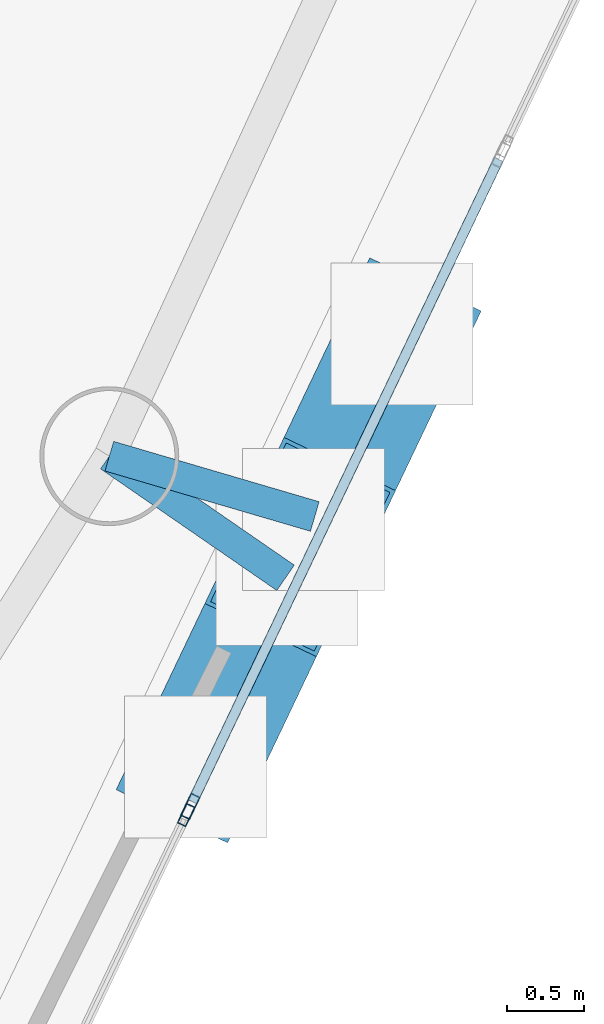
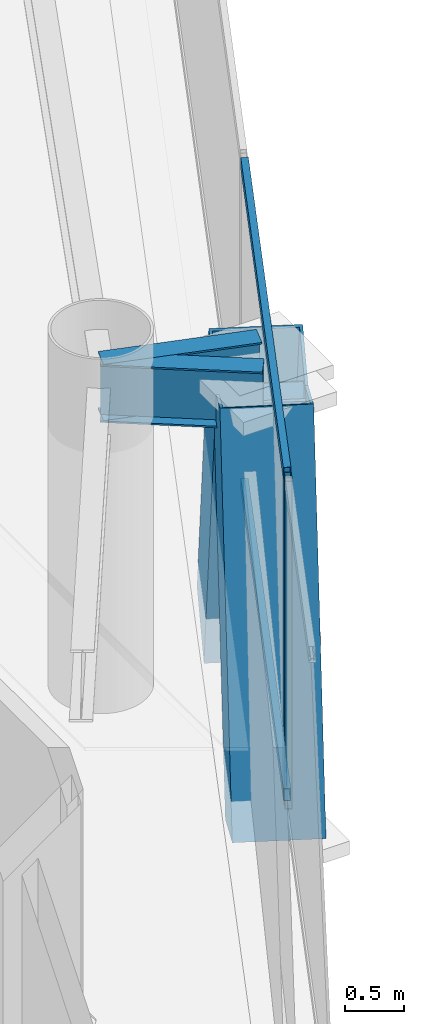
# One storey, part 6 of 20: 6 members, 2 beams, 2 elements without a shape of their own.
"""IFC4 building model written with IfcOpenShell, lengths in metres."""

from ifc_helpers import new_model, si_unit, direction, frame, origin, origin_2d, place, context, subcontext, project, spatial, hollow_rectangle, i_section, extrude, material, layer, layer_set, material_profile, profile_set, type_object, element, aggregate, save


model = new_model("IFC4")

# Units and contexts
model_context = context("Model", 3, precision=1e-05, world=origin(), true_north=direction((0.0, 1.0)))
body_context = subcontext(model_context, "Body", "Model", "MODEL_VIEW")
ifc_project = project(units=[si_unit("LENGTHUNIT", "METRE"), si_unit("AREAUNIT", "SQUARE_METRE"), si_unit("VOLUMEUNIT", "CUBIC_METRE"), si_unit("PLANEANGLEUNIT", "RADIAN"), si_unit("MASSUNIT", "GRAM", prefix="KILO")], contexts=[model_context])

# Site, building, storey
site_placement = place(None, origin())
site = spatial("IfcSite", under=ifc_project, at=site_placement, CompositionType="ELEMENT")
building_placement = place(site_placement, origin())
building = spatial("IfcBuilding", under=site, at=building_placement, Name="Qianvela Tower", CompositionType="ELEMENT")
storey_placement = place(building_placement, frame((0.0, 0.0, 317.60009765625)))
storey = spatial("IfcBuildingStorey", under=building, at=storey_placement, Name="L82", CompositionType="ELEMENT", Elevation=317.60009765625)

# Beams
ifc_material_1 = material(Name="Steel Q355B", Category="steel")
ifc_material_profile_1 = material_profile(ifc_material_1, i_section(OverallWidth=0.199951171875, OverallDepth=0.60009765625, WebThickness=0.010986328125, FlangeThickness=0.01708984375, at=origin_2d()), Name="HN600x200x11x17")
ifc_profile_set_1 = profile_set([ifc_material_profile_1], Name="Steel Q355B")
beam_type = type_object("IfcBeamType", Name="BM-HN600-GIRD", PredefinedType="BEAM", material=ifc_profile_set_1)
for number, where, z_axis, x_axis, name in (
    (1, (45.833984375, 22.344970703125, 3.097900390625), (0.823034037929, -0.567992053122, 0.0), (0.567992053122, 0.823034037929, 0.0), "L82 Mega-Brace Column Tie Bracket F3-1"),
    (2, (45.833984375, 22.344970703125, 3.097900390625), (0.95951952157, -0.281642127043, 0.0), (0.281642127043, 0.95951952157, 0.0), "L82 Mega-Brace Column Tie Bracket F3-2"),
):
    element("IfcBeam", number, at=place(storey_placement, frame(where, z_axis=z_axis, x_axis=x_axis)), inside=storey, type_object=beam_type, Name=name, PredefinedType="BEAM", context=body_context, shape_type="SweptSolid", body=[
        extrude(i_section(OverallWidth=0.199951171875, OverallDepth=0.60009765625, WebThickness=0.010986328125, FlangeThickness=0.01708984375, at=origin_2d()), origin(), (0.0, 0.0, 1.0), 1.386962890625),
    ])

# Curtain wall, members
ifc_material_2 = material(Name="Anodised Architectural Aluminium and Insulated Spandrel Panel", Category="aluminium")
ifc_layer_1 = layer(ifc_material_2, 0.179931640625)
ifc_layer_set_1 = layer_set([ifc_layer_1], Name="Anodised Architectural Aluminium and Insulated Spandrel Panel")
curtain_wall_type_1 = type_object("IfcCurtainWallType", Name="CW-BRACEBAY", PredefinedType="USERDEFINED", material=ifc_layer_set_1)
curtain_wall_1_placement = place(storey_placement, origin())
curtain_wall_1 = element("IfcCurtainWall", 3, at=curtain_wall_1_placement, inside=storey, type_object=curtain_wall_type_1, Name="L82 CW-BRACEBAY Curtain Wall 06B", ObjectType="CURTAIN_WALL_SYSTEM", PredefinedType="USERDEFINED")
ifc_material_3 = material(Name="Anodised Architectural Aluminium 6063-T6", Category="aluminium")
ifc_material_profile_2 = material_profile(ifc_material_3, hollow_rectangle(XDim=0.06494140625, YDim=0.159912109375, WallThickness=0.0048828125, at=origin_2d()), Name="ALU-MULL-65x160")
ifc_profile_set_2 = profile_set([ifc_material_profile_2], Name="Anodised Architectural Aluminium 6063-T6")
member_type_1 = type_object("IfcMemberType", Name="CW-BRACEBAY-MULL", PredefinedType="MULLION", material=ifc_profile_set_2)
member_1_placement = place(storey_placement, frame((46.358642578125, 20.0771484375, 0.0), z_axis=(0.0, 0.0, 1.0), x_axis=(-0.902686519662, 0.43029878831, 0.0)))
member_1 = element("IfcMember", 4, at=member_1_placement, type_object=member_type_1, Name="CW-9 mullion 1", PredefinedType="MULLION", context=body_context, shape_type="SweptSolid", body=[
    extrude(hollow_rectangle(XDim=0.06494140625, YDim=0.159912109375, WallThickness=0.0048828125, at=origin_2d()), origin(), (0.0, 0.0, 1.0), 3.39990234375),
])
ifc_material_4 = material(Name="Anodised Architectural Aluminium 6063-T6", Category="aluminium")
ifc_material_profile_3 = material_profile(ifc_material_4, hollow_rectangle(XDim=0.06494140625, YDim=0.1298828125, WallThickness=0.00439453125, at=origin_2d()), Name="ALU-TRAN-65x130")
ifc_profile_set_3 = profile_set([ifc_material_profile_3], Name="Anodised Architectural Aluminium 6063-T6")
member_type_2 = type_object("IfcMemberType", Name="CW-BRACEBAY-TRAN", PredefinedType="USERDEFINED", material=ifc_profile_set_3)
member_2_placement = place(storey_placement, frame((46.37255859375, 20.1064453125, 0.032470703125), z_axis=(0.430336448851, 0.902668566413, 0.0), x_axis=(-0.902668566413, 0.430336448851, 0.0)))
member_2 = element("IfcMember", 5, at=member_2_placement, type_object=member_type_2, Name="CW-9 transom 1.1", ObjectType="TRANSOM", PredefinedType="USERDEFINED", context=body_context, shape_type="SweptSolid", body=[
    extrude(hollow_rectangle(XDim=0.06494140625, YDim=0.1298828125, WallThickness=0.00439453125, at=origin_2d()), origin(), (0.0, 0.0, 1.0), 4.610107421875),
])
member_3_placement = place(storey_placement, frame((46.37255859375, 20.1064453125, 3.367431640625), z_axis=(0.430336448851, 0.902668566413, 0.0), x_axis=(-0.902668566413, 0.430336448851, 0.0)))
member_3 = element("IfcMember", 6, at=member_3_placement, type_object=member_type_2, Name="CW-9 transom 1.2", ObjectType="TRANSOM", PredefinedType="USERDEFINED", context=body_context, shape_type="SweptSolid", body=[
    extrude(hollow_rectangle(XDim=0.06494140625, YDim=0.1298828125, WallThickness=0.00439453125, at=origin_2d()), origin(), (0.0, 0.0, 1.0), 4.610107421875),
])
aggregate(curtain_wall_1, [member_1, member_2, member_3])

# Curtain wall, member
ifc_material_5 = material(Name="Anodised Architectural Aluminium and Low-E Glass", Category="aluminium")
ifc_layer_2 = layer(ifc_material_5, 0.14990234375)
ifc_layer_set_2 = layer_set([ifc_layer_2], Name="Anodised Architectural Aluminium and Low-E Glass")
curtain_wall_type_2 = type_object("IfcCurtainWallType", Name="CW-COLIV-Z78", PredefinedType="USERDEFINED", material=ifc_layer_set_2)
curtain_wall_2_placement = place(storey_placement, origin())
curtain_wall_2 = element("IfcCurtainWall", 7, at=curtain_wall_2_placement, inside=storey, type_object=curtain_wall_type_2, Name="L82 CW-COLIV-Z78 Curtain Wall 06A", ObjectType="CURTAIN_WALL_SYSTEM", PredefinedType="USERDEFINED")
ifc_material_6 = material(Name="Anodised Architectural Aluminium 6063-T6", Category="aluminium")
ifc_material_profile_4 = material_profile(ifc_material_6, hollow_rectangle(XDim=0.06005859375, YDim=0.139892578125, WallThickness=0.00439453125, at=origin_2d()), Name="ALU-MULL-60x140")
ifc_profile_set_4 = profile_set([ifc_material_profile_4], Name="Anodised Architectural Aluminium 6063-T6")
member_type_3 = type_object("IfcMemberType", Name="CW-COLIV-Z78-MULL", PredefinedType="MULLION", material=ifc_profile_set_4)
member_4_placement = place(storey_placement, frame((46.331787109375, 20.020751953125, 0.0), z_axis=(0.0, 0.0, 1.0), x_axis=(-0.902682863885, 0.430306457362, 0.0)))
member_4 = element("IfcMember", 8, at=member_4_placement, type_object=member_type_3, Name="CW-6 mullion 3", PredefinedType="MULLION", context=body_context, shape_type="SweptSolid", body=[
    extrude(hollow_rectangle(XDim=0.06005859375, YDim=0.139892578125, WallThickness=0.00439453125, at=origin_2d()), origin(), (0.0, 0.0, 1.0), 3.39990234375),
])
aggregate(curtain_wall_2, [member_4])

# Members
ifc_material_7 = material(Name="Steel Q420GJC", Category="steel")
ifc_material_profile_5 = material_profile(ifc_material_7, hollow_rectangle(XDim=0.800048828125, YDim=0.800048828125, WallThickness=0.028076171875, at=origin_2d()), Name="MBOX-800x800x28")
ifc_profile_set_5 = profile_set([ifc_material_profile_5], Name="Steel Q420GJC")
member_type_4 = type_object("IfcMemberType", Name="MBR-MBRACE-800", PredefinedType="BRACE", material=ifc_profile_set_5)
member_5_placement = place(storey_placement, frame((46.400634765625, 20.35107421875, -0.482177734375), z_axis=(0.150460798305, 0.315616281794, 0.936882015432), x_axis=(-0.902674667046, 0.430323652003, 0.0)))
element("IfcMember", 9, at=member_5_placement, inside=storey, type_object=member_type_4, Name="L82 Tier 13 Exterior Mega-Brace F3A", PredefinedType="BRACE", context=body_context, shape_type="SweptSolid", body=[
    extrude(hollow_rectangle(XDim=0.800048828125, YDim=0.800048828125, WallThickness=0.028076171875, at=origin_2d()), origin(), (0.0, 0.0, 1.0), 3.8212890625),
])
member_6_placement = place(storey_placement, frame((47.719482421875, 23.117431640625, -0.482177734375), z_axis=(-0.14578169473, -0.305679574689, 0.94090791), x_axis=(0.902608211346, -0.430463026066, 0.0)))
element("IfcMember", 10, at=member_6_placement, inside=storey, type_object=member_type_4, Name="L82 Tier 13 Exterior Mega-Brace F3B", PredefinedType="BRACE", context=body_context, shape_type="SweptSolid", body=[
    extrude(hollow_rectangle(XDim=0.800048828125, YDim=0.800048828125, WallThickness=0.028076171875, at=origin_2d()), origin(), (0.0, 0.0, 1.0), 3.804931640625),
])

save(model, "model.ifc")
